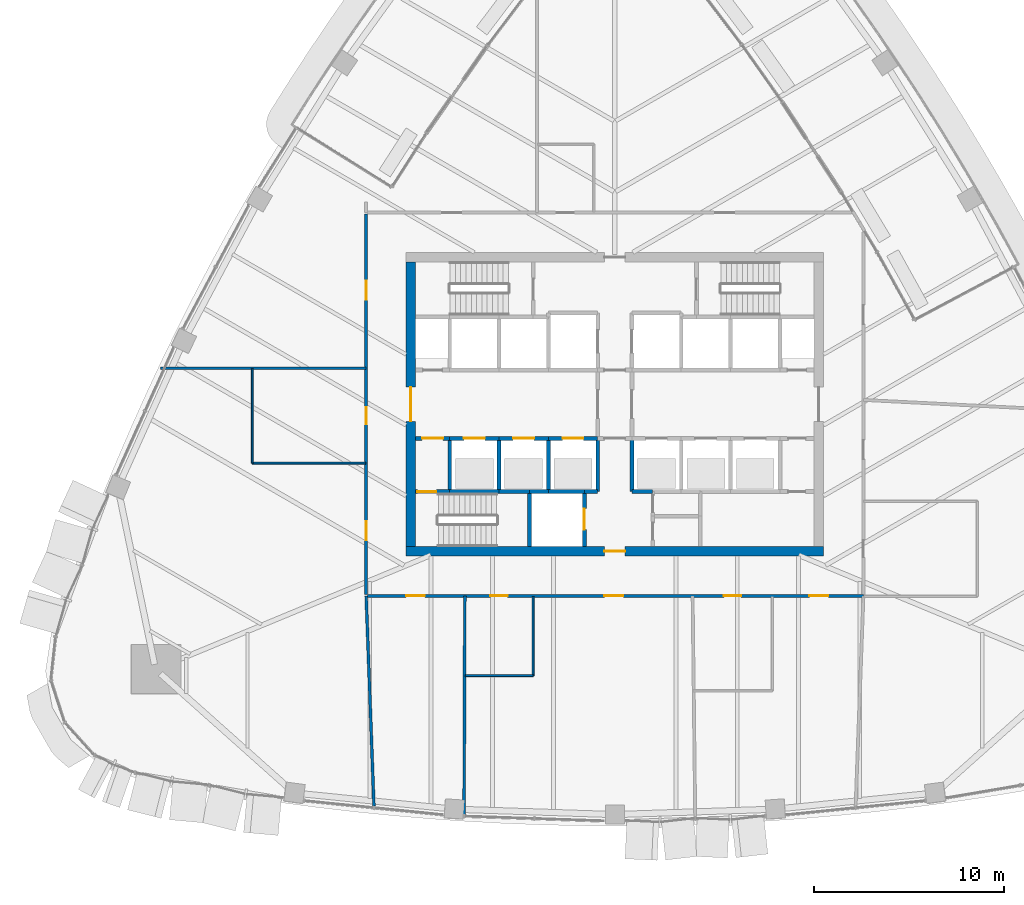
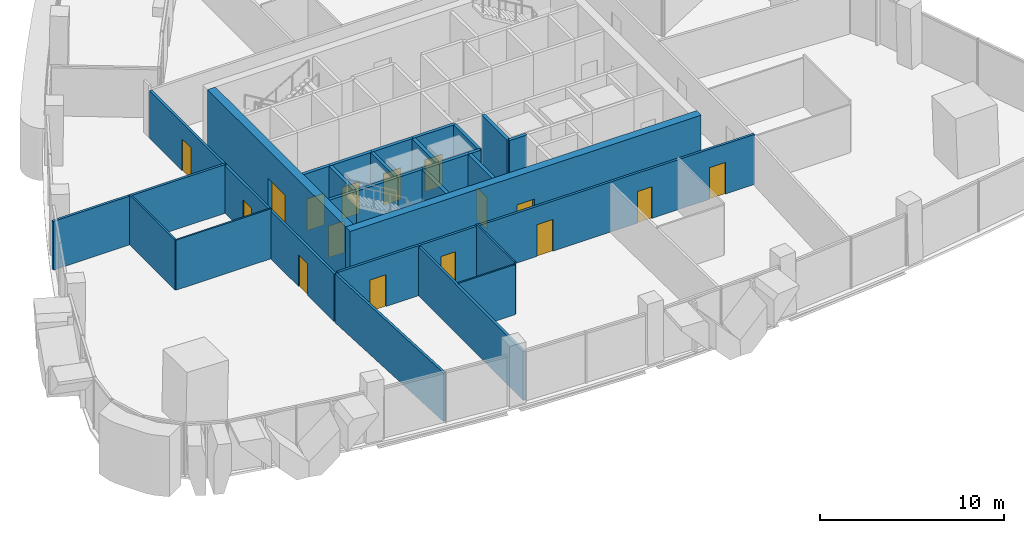
# One storey, part 13 of 21: 29 walls, 16 doors, 16 openings.
"""IFC4 building model written with IfcOpenShell, lengths in metres."""

from ifc_helpers import new_model, si_unit, direction, frame, frame_2d, origin, place, context, subcontext, project, spatial, rectangle, extrude, material, layer, layer_set, type_object, element, fill, save


model = new_model("IFC4")

# Units and contexts
model_context = context("Model", 3, precision=1e-05, world=origin(), true_north=direction((0.0, 1.0)))
body_context = subcontext(model_context, "Body", "Model", "MODEL_VIEW")
ifc_project = project(units=[si_unit("LENGTHUNIT", "METRE"), si_unit("AREAUNIT", "SQUARE_METRE"), si_unit("VOLUMEUNIT", "CUBIC_METRE"), si_unit("PLANEANGLEUNIT", "RADIAN"), si_unit("MASSUNIT", "GRAM", prefix="KILO")], contexts=[model_context])

# Site, building, storey
site_placement = place(None, origin())
site = spatial("IfcSite", under=ifc_project, at=site_placement, CompositionType="ELEMENT")
building_placement = place(site_placement, origin())
building = spatial("IfcBuilding", under=site, at=building_placement, Name="Sierra Prisma Convention Tower", CompositionType="ELEMENT")
storey_placement = place(building_placement, frame((0.0, 0.0, 157.800048828125)))
storey = spatial("IfcBuildingStorey", under=building, at=storey_placement, Name="L34", CompositionType="ELEMENT", Elevation=157.800048828125)

# Walls
ifc_material_1 = material(Name="Gypsum board partition", Category="gypsum")
ifc_layer_1 = layer(ifc_material_1, 0.10009765625)
ifc_layer_set_1 = layer_set([ifc_layer_1], Name="Bathroom partition 100")
wall_type_1 = type_object("IfcWallType", Name="Bathroom partition 100", PredefinedType="PARTITIONING", material=ifc_layer_set_1)
wall_1_placement = place(storey_placement, frame((-13.1298828125, -3.10009765625, 0.0), z_axis=(0.0, 0.0, 1.0), x_axis=(-1.0, 0.0, 0.0)))
element("IfcWall", 1, at=wall_1_placement, inside=storey, type_object=wall_type_1, Name="Partition L34 bath 1", PredefinedType="PARTITIONING", context=body_context, shape_type="SweptSolid", body=[
    extrude(rectangle(XDim=5.97021484375, YDim=0.10009765625, at=frame_2d((2.985107421875, 0.0))), origin(), (0.0, 0.0, 1.0), 3.31689453125),
])
wall_2_placement = place(storey_placement, frame((-19.10009765625, -3.10009765625, 0.0), z_axis=(0.0, 0.0, 1.0), x_axis=(0.0, 1.0, 0.0)))
element("IfcWall", 2, at=wall_2_placement, inside=storey, type_object=wall_type_1, Name="Partition L34 bath 2", PredefinedType="PARTITIONING", context=body_context, shape_type="SweptSolid", body=[
    extrude(rectangle(XDim=4.97021484375, YDim=0.10009765625, at=frame_2d((2.485107421875, 0.0))), origin(), (0.0, 0.0, 1.0), 3.31689453125),
])
wall_3_placement = place(storey_placement, frame((-4.300048828125, -10.1298828125, 0.0), z_axis=(0.0, 0.0, 1.0), x_axis=(0.0, -1.0, 0.0)))
element("IfcWall", 3, at=wall_3_placement, inside=storey, type_object=wall_type_1, Name="Partition L34 bath 3", PredefinedType="PARTITIONING", context=body_context, shape_type="SweptSolid", body=[
    extrude(rectangle(XDim=4.170166015625, YDim=0.10009765625, at=frame_2d((2.0849609375, 0.0))), origin(), (0.0, 0.0, 1.0), 3.449951171875),
])
wall_4_placement = place(storey_placement, frame((-4.300048828125, -14.300048828125, 0.0), z_axis=(0.0, 0.0, 1.0), x_axis=(-1.0, 0.0, 0.0)))
element("IfcWall", 4, at=wall_4_placement, inside=storey, type_object=wall_type_1, Name="Partition L34 bath 4", PredefinedType="PARTITIONING", context=body_context, shape_type="SweptSolid", body=[
    extrude(rectangle(XDim=3.570068359375, YDim=0.10009765625, at=frame_2d((1.78515625, 0.0))), origin(), (0.0, 0.0, 1.0), 3.31689453125),
])

# Wall, opening, door
ifc_material_2 = material(Name="Concrete C30/37", Category="concrete")
ifc_layer_2 = layer(ifc_material_2, 0.199951171875)
ifc_layer_set_2 = layer_set([ifc_layer_2], Name="Core wall RC 200 C30/37")
wall_type_2 = type_object("IfcWallType", Name="Core wall RC 200 C30/37", PredefinedType="SOLIDWALL", material=ifc_layer_set_2)
wall_5_placement = place(storey_placement, frame((-10.5, -4.60009765625, 0.0), z_axis=(0.0, 0.0, 1.0), x_axis=(1.0, 0.0, 0.0)))
wall_5 = element("IfcWall", 5, at=wall_5_placement, inside=storey, type_object=wall_type_2, Name="Core wall L34 1", PredefinedType="SOLIDWALL", context=body_context, shape_type="SweptSolid", body=[
    extrude(rectangle(XDim=1.800048828125, YDim=0.199951171875, at=frame_2d((0.89990234375, 0.0))), origin(), (0.0, 0.0, 1.0), 3.849853515625),
])
opening_1_placement = place(wall_5_placement, frame((0.10009765625, 0.0, 0.0)))
opening_1 = element("IfcOpeningElement", 6, at=opening_1_placement, cuts=wall_5, Name="Opening L34-D020", PredefinedType="OPENING", context=body_context, shape_type="SweptSolid", body=[
    extrude(rectangle(XDim=1.0, YDim=2.10009765625, at=frame_2d((0.5, 1.050048828125))), frame((0.0, 0.10009765625, 0.0), z_axis=(0.0, -1.0, 0.0), x_axis=(1.0, 0.0, 0.0)), (0.0, 0.0, 1.0), 0.199951171875),
])
ifc_material_3 = material(Name="Steel fire door leaf", Category="steel")
door_type_1 = type_object("IfcDoorType", Name="Door 1000x2100 FD90S", OperationType="SINGLE_SWING_LEFT", PredefinedType="DOOR", material=ifc_material_3)
door_1_placement = place(opening_1_placement, origin())
door_1 = element("IfcDoor", 7, at=door_1_placement, inside=storey, type_object=door_type_1, Name="Door L34 31", OperationType="SINGLE_SWING_LEFT", OverallHeight=2.10009765625, OverallWidth=1.0, PredefinedType="DOOR", context=body_context, shape_type="SweptSolid", body=[
    extrude(rectangle(XDim=1.0, YDim=2.10009765625, at=frame_2d((0.5, 1.050048828125))), frame((0.0, 0.02490234375, 0.0), z_axis=(0.0, -1.0, 0.0), x_axis=(1.0, 0.0, 0.0)), (0.0, 0.0, 1.0), 0.050048828125),
])
fill(opening_1, door_1)

wall_6_placement = place(storey_placement, frame((-10.5, -1.800048828125, 0.0), z_axis=(0.0, 0.0, 1.0), x_axis=(1.0, 0.0, 0.0)))
wall_6 = element("IfcWall", 8, at=wall_6_placement, inside=storey, type_object=wall_type_2, Name="Core wall L34 2", PredefinedType="SOLIDWALL", context=body_context, shape_type="SweptSolid", body=[
    extrude(rectangle(XDim=1.800048828125, YDim=0.199951171875, at=frame_2d((0.89990234375, 0.0))), origin(), (0.0, 0.0, 1.0), 3.849853515625),
])
opening_2_placement = place(wall_6_placement, frame((0.35009765625, 0.0, 0.0)))
opening_2 = element("IfcOpeningElement", 9, at=opening_2_placement, cuts=wall_6, Name="Opening L34-D015", PredefinedType="OPENING", context=body_context, shape_type="SweptSolid", body=[
    extrude(rectangle(XDim=1.10009765625, YDim=2.10009765625, at=frame_2d((0.550048828125, 1.050048828125))), frame((0.0, 0.10009765625, 0.0), z_axis=(0.0, -1.0, 0.0), x_axis=(1.0, 0.0, 0.0)), (0.0, 0.0, 1.0), 0.199951171875),
])
ifc_material_4 = material(Name="Steel fire door leaf", Category="steel")
door_type_2 = type_object("IfcDoorType", Name="Door 1100x2100 FD90S", OperationType="SINGLE_SWING_LEFT", PredefinedType="DOOR", material=ifc_material_4)
door_2_placement = place(opening_2_placement, origin())
door_2 = element("IfcDoor", 10, at=door_2_placement, inside=storey, type_object=door_type_2, Name="Door L34 26", OperationType="SINGLE_SWING_LEFT", OverallHeight=2.10009765625, OverallWidth=1.10009765625, PredefinedType="DOOR", context=body_context, shape_type="SweptSolid", body=[
    extrude(rectangle(XDim=1.10009765625, YDim=2.10009765625, at=frame_2d((0.550048828125, 1.050048828125))), frame((0.0, 0.02490234375, 0.0), z_axis=(0.0, -1.0, 0.0), x_axis=(1.0, 0.0, 0.0)), (0.0, 0.0, 1.0), 0.050048828125),
])
fill(opening_2, door_2)

# Walls
wall_7_placement = place(storey_placement, frame((-8.699951171875, -4.60009765625, 0.0), z_axis=(0.0, 0.0, 1.0), x_axis=(1.0, 0.0, 0.0)))
element("IfcWall", 11, at=wall_7_placement, inside=storey, type_object=wall_type_2, Name="Core wall L34 5", PredefinedType="SOLIDWALL", context=body_context, shape_type="SweptSolid", body=[
    extrude(rectangle(XDim=2.599853515625, YDim=0.199951171875, at=frame_2d((1.2998046875, 0.0))), origin(), (0.0, 0.0, 1.0), 3.849853515625),
])
wall_8_placement = place(storey_placement, frame((-8.699951171875, -4.60009765625, 0.0), z_axis=(0.0, 0.0, 1.0), x_axis=(0.0, 1.0, 0.0)))
element("IfcWall", 12, at=wall_8_placement, inside=storey, type_object=wall_type_2, Name="Core wall L34 6", PredefinedType="SOLIDWALL", context=body_context, shape_type="SweptSolid", body=[
    extrude(rectangle(XDim=2.800048828125, YDim=0.199951171875, at=frame_2d((1.39990234375, 0.0))), origin(), (0.0, 0.0, 1.0), 3.849853515625),
])

# Wall, opening, door
wall_9_placement = place(storey_placement, frame((-8.699951171875, -1.800048828125, 0.0), z_axis=(0.0, 0.0, 1.0), x_axis=(1.0, 0.0, 0.0)))
wall_9 = element("IfcWall", 13, at=wall_9_placement, inside=storey, type_object=wall_type_2, Name="Core wall L34 7", PredefinedType="SOLIDWALL", context=body_context, shape_type="SweptSolid", body=[
    extrude(rectangle(XDim=2.599853515625, YDim=0.199951171875, at=frame_2d((1.2998046875, 0.0))), origin(), (0.0, 0.0, 1.0), 3.849853515625),
])
opening_3_placement = place(wall_9_placement, frame((0.75, 0.0, 0.0)))
opening_3 = element("IfcOpeningElement", 14, at=opening_3_placement, cuts=wall_9, Name="Opening L34-D004", PredefinedType="OPENING", context=body_context, shape_type="SweptSolid", body=[
    extrude(rectangle(XDim=1.10009765625, YDim=2.10009765625, at=frame_2d((0.550048828125, 1.050048828125))), frame((0.0, 0.10009765625, 0.0), z_axis=(0.0, -1.0, 0.0), x_axis=(1.0, 0.0, 0.0)), (0.0, 0.0, 1.0), 0.199951171875),
])
ifc_material_5 = material(Name="Steel fire door leaf", Category="steel")
door_type_3 = type_object("IfcDoorType", Name="Door 1100x2100 EI 90 sliding lift landing", OperationType="SLIDING_TO_LEFT", PredefinedType="DOOR", material=ifc_material_5)
door_3_placement = place(opening_3_placement, origin())
door_3 = element("IfcDoor", 15, at=door_3_placement, inside=storey, type_object=door_type_3, Name="Door L34 15", OperationType="SLIDING_TO_LEFT", OverallHeight=2.10009765625, OverallWidth=1.10009765625, PredefinedType="DOOR", context=body_context, shape_type="SweptSolid", body=[
    extrude(rectangle(XDim=1.10009765625, YDim=2.10009765625, at=frame_2d((0.550048828125, 1.050048828125))), frame((0.0, 0.02490234375, 0.0), z_axis=(0.0, -1.0, 0.0), x_axis=(1.0, 0.0, 0.0)), (0.0, 0.0, 1.0), 0.050048828125),
])
fill(opening_3, door_3)

# Walls
wall_10_placement = place(storey_placement, frame((-6.10009765625, -4.60009765625, 0.0), z_axis=(0.0, 0.0, 1.0), x_axis=(1.0, 0.0, 0.0)))
element("IfcWall", 16, at=wall_10_placement, inside=storey, type_object=wall_type_2, Name="Core wall L34 11", PredefinedType="SOLIDWALL", context=body_context, shape_type="SweptSolid", body=[
    extrude(rectangle(XDim=1.60009765625, YDim=0.199951171875, at=frame_2d((0.800048828125, 0.0))), origin(), (0.0, 0.0, 1.0), 3.849853515625),
])
wall_11_placement = place(storey_placement, frame((-6.10009765625, -4.60009765625, 0.0), z_axis=(0.0, 0.0, 1.0), x_axis=(0.0, 1.0, 0.0)))
element("IfcWall", 17, at=wall_11_placement, inside=storey, type_object=wall_type_2, Name="Core wall L34 12", PredefinedType="SOLIDWALL", context=body_context, shape_type="SweptSolid", body=[
    extrude(rectangle(XDim=2.800048828125, YDim=0.199951171875, at=frame_2d((1.39990234375, 0.0))), origin(), (0.0, 0.0, 1.0), 3.849853515625),
])

# Wall, opening, door
wall_12_placement = place(storey_placement, frame((-6.10009765625, -1.800048828125, 0.0), z_axis=(0.0, 0.0, 1.0), x_axis=(1.0, 0.0, 0.0)))
wall_12 = element("IfcWall", 18, at=wall_12_placement, inside=storey, type_object=wall_type_2, Name="Core wall L34 13", PredefinedType="SOLIDWALL", context=body_context, shape_type="SweptSolid", body=[
    extrude(rectangle(XDim=2.60009765625, YDim=0.199951171875, at=frame_2d((1.300048828125, 0.0))), origin(), (0.0, 0.0, 1.0), 3.849853515625),
])
opening_4_placement = place(wall_12_placement, frame((0.75, 0.0, 0.0)))
opening_4 = element("IfcOpeningElement", 19, at=opening_4_placement, cuts=wall_12, Name="Opening L34-D005", PredefinedType="OPENING", context=body_context, shape_type="SweptSolid", body=[
    extrude(rectangle(XDim=1.10009765625, YDim=2.10009765625, at=frame_2d((0.550048828125, 1.050048828125))), frame((0.0, 0.10009765625, 0.0), z_axis=(0.0, -1.0, 0.0), x_axis=(1.0, 0.0, 0.0)), (0.0, 0.0, 1.0), 0.199951171875),
])
door_4_placement = place(opening_4_placement, origin())
door_4 = element("IfcDoor", 20, at=door_4_placement, inside=storey, type_object=door_type_3, Name="Door L34 16", OperationType="SLIDING_TO_LEFT", OverallHeight=2.10009765625, OverallWidth=1.10009765625, PredefinedType="DOOR", context=body_context, shape_type="SweptSolid", body=[
    extrude(rectangle(XDim=1.10009765625, YDim=2.10009765625, at=frame_2d((0.550048828125, 1.050048828125))), frame((0.0, 0.02490234375, 0.0), z_axis=(0.0, -1.0, 0.0), x_axis=(1.0, 0.0, 0.0)), (0.0, 0.0, 1.0), 0.050048828125),
])
fill(opening_4, door_4)

# Walls
wall_13_placement = place(storey_placement, frame((-4.5, -4.60009765625, 0.0), z_axis=(0.0, 0.0, 1.0), x_axis=(0.0, -1.0, 0.0)))
element("IfcWall", 21, at=wall_13_placement, inside=storey, type_object=wall_type_2, Name="Core wall L34 17", PredefinedType="SOLIDWALL", context=body_context, shape_type="SweptSolid", body=[
    extrude(rectangle(XDim=2.89990234375, YDim=0.199951171875, at=frame_2d((1.449951171875, 0.0))), origin(), (0.0, 0.0, 1.0), 3.849853515625),
])
wall_14_placement = place(storey_placement, frame((-4.5, -4.60009765625, 0.0), z_axis=(0.0, 0.0, 1.0), x_axis=(1.0, 0.0, 0.0)))
element("IfcWall", 22, at=wall_14_placement, inside=storey, type_object=wall_type_2, Name="Core wall L34 18", PredefinedType="SOLIDWALL", context=body_context, shape_type="SweptSolid", body=[
    extrude(rectangle(XDim=1.0, YDim=0.199951171875, at=frame_2d((0.5, 0.0))), origin(), (0.0, 0.0, 1.0), 3.849853515625),
])
wall_15_placement = place(storey_placement, frame((-3.5, -4.60009765625, 0.0), z_axis=(0.0, 0.0, 1.0), x_axis=(1.0, 0.0, 0.0)))
element("IfcWall", 23, at=wall_15_placement, inside=storey, type_object=wall_type_2, Name="Core wall L34 21", PredefinedType="SOLIDWALL", context=body_context, shape_type="SweptSolid", body=[
    extrude(rectangle(XDim=1.89990234375, YDim=0.199951171875, at=frame_2d((0.949951171875, 0.0))), origin(), (0.0, 0.0, 1.0), 3.849853515625),
])
wall_16_placement = place(storey_placement, frame((-3.5, -4.60009765625, 0.0), z_axis=(0.0, 0.0, 1.0), x_axis=(0.0, 1.0, 0.0)))
element("IfcWall", 24, at=wall_16_placement, inside=storey, type_object=wall_type_2, Name="Core wall L34 22", PredefinedType="SOLIDWALL", context=body_context, shape_type="SweptSolid", body=[
    extrude(rectangle(XDim=2.800048828125, YDim=0.199951171875, at=frame_2d((1.39990234375, 0.0))), origin(), (0.0, 0.0, 1.0), 3.849853515625),
])

# Wall, opening, door
wall_17_placement = place(storey_placement, frame((-3.5, -1.800048828125, 0.0), z_axis=(0.0, 0.0, 1.0), x_axis=(1.0, 0.0, 0.0)))
wall_17 = element("IfcWall", 25, at=wall_17_placement, inside=storey, type_object=wall_type_2, Name="Core wall L34 23", PredefinedType="SOLIDWALL", context=body_context, shape_type="SweptSolid", body=[
    extrude(rectangle(XDim=2.60009765625, YDim=0.199951171875, at=frame_2d((1.300048828125, 0.0))), origin(), (0.0, 0.0, 1.0), 3.849853515625),
])
opening_5_placement = place(wall_17_placement, frame((0.75, 0.0, 0.0)))
opening_5 = element("IfcOpeningElement", 26, at=opening_5_placement, cuts=wall_17, Name="Opening L34-D006", PredefinedType="OPENING", context=body_context, shape_type="SweptSolid", body=[
    extrude(rectangle(XDim=1.10009765625, YDim=2.10009765625, at=frame_2d((0.550048828125, 1.050048828125))), frame((0.0, 0.10009765625, 0.0), z_axis=(0.0, -1.0, 0.0), x_axis=(1.0, 0.0, 0.0)), (0.0, 0.0, 1.0), 0.199951171875),
])
door_5_placement = place(opening_5_placement, origin())
door_5 = element("IfcDoor", 27, at=door_5_placement, inside=storey, type_object=door_type_3, Name="Door L34 17", OperationType="SLIDING_TO_RIGHT", OverallHeight=2.10009765625, OverallWidth=1.10009765625, PredefinedType="DOOR", context=body_context, shape_type="SweptSolid", body=[
    extrude(rectangle(XDim=1.10009765625, YDim=2.10009765625, at=frame_2d((0.550048828125, 1.050048828125))), frame((0.0, 0.02490234375, 0.0), z_axis=(0.0, -1.0, 0.0), x_axis=(1.0, 0.0, 0.0)), (0.0, 0.0, 1.0), 0.050048828125),
])
fill(opening_5, door_5)

wall_18_placement = place(storey_placement, frame((-1.60009765625, -7.5, 0.0), z_axis=(0.0, 0.0, 1.0), x_axis=(0.0, 1.0, 0.0)))
wall_18 = element("IfcWall", 28, at=wall_18_placement, inside=storey, type_object=wall_type_2, Name="Core wall L34 29", PredefinedType="SOLIDWALL", context=body_context, shape_type="SweptSolid", body=[
    extrude(rectangle(XDim=2.89990234375, YDim=0.199951171875, at=frame_2d((1.449951171875, 0.0))), origin(), (0.0, 0.0, 1.0), 3.849853515625),
])
opening_6_placement = place(wall_18_placement, frame((0.89990234375, 0.0, 0.0)))
opening_6 = element("IfcOpeningElement", 29, at=opening_6_placement, cuts=wall_18, Name="Opening L34-D012", PredefinedType="OPENING", context=body_context, shape_type="SweptSolid", body=[
    extrude(rectangle(XDim=1.10009765625, YDim=2.10009765625, at=frame_2d((0.550048828125, 1.050048828125))), frame((0.0, 0.10009765625, 0.0), z_axis=(0.0, -1.0, 0.0), x_axis=(1.0, 0.0, 0.0)), (0.0, 0.0, 1.0), 0.199951171875),
])
door_6_placement = place(opening_6_placement, origin())
door_6 = element("IfcDoor", 30, at=door_6_placement, inside=storey, type_object=door_type_3, Name="Door L34 23", OperationType="SLIDING_TO_RIGHT", OverallHeight=2.10009765625, OverallWidth=1.10009765625, PredefinedType="DOOR", context=body_context, shape_type="SweptSolid", body=[
    extrude(rectangle(XDim=1.10009765625, YDim=2.10009765625, at=frame_2d((0.550048828125, 1.050048828125))), frame((0.0, 0.02490234375, 0.0), z_axis=(0.0, -1.0, 0.0), x_axis=(1.0, 0.0, 0.0)), (0.0, 0.0, 1.0), 0.050048828125),
])
fill(opening_6, door_6)

# Walls
wall_19_placement = place(storey_placement, frame((-1.60009765625, -4.60009765625, 0.0), z_axis=(0.0, 0.0, 1.0), x_axis=(1.0, 0.0, 0.0)))
element("IfcWall", 31, at=wall_19_placement, inside=storey, type_object=wall_type_2, Name="Core wall L34 30", PredefinedType="SOLIDWALL", context=body_context, shape_type="SweptSolid", body=[
    extrude(rectangle(XDim=0.7001953125, YDim=0.199951171875, at=frame_2d((0.35009765625, 0.0))), origin(), (0.0, 0.0, 1.0), 3.849853515625),
])
for number, where, z_axis, x_axis, name in (
    (32, (-0.89990234375, -4.60009765625, 0.0), (0.0, 0.0, 1.0), (0.0, 1.0, 0.0), "Core wall L34 31"),
    (33, (0.89990234375, -1.800048828125, 0.0), (0.0, 0.0, 1.0), (0.0, -1.0, 0.0), "Core wall L34 37"),
):
    element("IfcWall", number, at=place(storey_placement, frame(where, z_axis=z_axis, x_axis=x_axis)), inside=storey, type_object=wall_type_2, Name=name, PredefinedType="SOLIDWALL", context=body_context, shape_type="SweptSolid", body=[
        extrude(rectangle(XDim=2.800048828125, YDim=0.199951171875, at=frame_2d((1.39990234375, 0.0))), origin(), (0.0, 0.0, 1.0), 3.849853515625),
    ])
wall_20_placement = place(storey_placement, frame((0.89990234375, -4.60009765625, 0.0), z_axis=(0.0, 0.0, 1.0), x_axis=(1.0, 0.0, 0.0)))
element("IfcWall", 34, at=wall_20_placement, inside=storey, type_object=wall_type_2, Name="Core wall L34 38", PredefinedType="SOLIDWALL", context=body_context, shape_type="SweptSolid", body=[
    extrude(rectangle(XDim=1.10009765625, YDim=0.199951171875, at=frame_2d((0.550048828125, 0.0))), origin(), (0.0, 0.0, 1.0), 3.849853515625),
])

# Wall, opening, door
ifc_material_6 = material(Name="Concrete C60/75", Category="concrete")
ifc_layer_3 = layer(ifc_material_6, 0.5)
ifc_layer_set_3 = layer_set([ifc_layer_3], Name="Core wall RC 500 C60/75")
wall_type_3 = type_object("IfcWallType", Name="Core wall RC 500 C60/75", PredefinedType="SHEAR", material=ifc_layer_set_3)
wall_21_placement = place(storey_placement, frame((-11.0, -7.75, 0.0), z_axis=(0.0, 0.0, 1.0), x_axis=(1.0, 0.0, 0.0)))
wall_21 = element("IfcWall", 35, at=wall_21_placement, inside=storey, type_object=wall_type_3, Name="Core wall S L34", PredefinedType="SHEAR", context=body_context, shape_type="SweptSolid", body=[
    extrude(rectangle(XDim=22.0, YDim=0.5, at=frame_2d((11.0, 0.0))), origin(), (0.0, 0.0, 1.0), 4.0),
])
opening_7_placement = place(wall_21_placement, frame((10.449951171875, 0.0, 0.0)))
opening_7 = element("IfcOpeningElement", 36, at=opening_7_placement, cuts=wall_21, Name="Opening L34-D043", PredefinedType="OPENING", context=body_context, shape_type="SweptSolid", body=[
    extrude(rectangle(XDim=1.10009765625, YDim=2.10009765625, at=frame_2d((0.550048828125, 1.050048828125))), frame((0.0, 0.25, 0.0), z_axis=(0.0, -1.0, 0.0), x_axis=(1.0, 0.0, 0.0)), (0.0, 0.0, 1.0), 0.5),
])
ifc_material_7 = material(Name="Steel fire door leaf", Category="steel")
door_type_4 = type_object("IfcDoorType", Name="Door 1100x2100 FD30S", OperationType="SINGLE_SWING_LEFT", PredefinedType="DOOR", material=ifc_material_7)
door_7_placement = place(opening_7_placement, origin())
door_7 = element("IfcDoor", 37, at=door_7_placement, inside=storey, type_object=door_type_4, Name="Door L34 41", OperationType="SINGLE_SWING_RIGHT", OverallHeight=2.10009765625, OverallWidth=1.10009765625, PredefinedType="DOOR", context=body_context, shape_type="SweptSolid", body=[
    extrude(rectangle(XDim=1.10009765625, YDim=2.10009765625, at=frame_2d((0.550048828125, 1.050048828125))), frame((0.0, 0.02490234375, 0.0), z_axis=(0.0, -1.0, 0.0), x_axis=(1.0, 0.0, 0.0)), (0.0, 0.0, 1.0), 0.050048828125),
])
fill(opening_7, door_7)

wall_22_placement = place(storey_placement, frame((-10.75, -7.5, 0.0), z_axis=(0.0, 0.0, 1.0), x_axis=(0.0, 1.0, 0.0)))
wall_22 = element("IfcWall", 38, at=wall_22_placement, inside=storey, type_object=wall_type_3, Name="Core wall W L34", PredefinedType="SHEAR", context=body_context, shape_type="SweptSolid", body=[
    extrude(rectangle(XDim=15.0, YDim=0.5, at=frame_2d((7.5, 0.0))), origin(), (0.0, 0.0, 1.0), 4.0),
])
opening_8_placement = place(wall_22_placement, frame((6.60009765625, 0.0, 0.0)))
opening_8 = element("IfcOpeningElement", 39, at=opening_8_placement, cuts=wall_22, Name="Opening L34-D044", PredefinedType="OPENING", context=body_context, shape_type="SweptSolid", body=[
    extrude(rectangle(XDim=1.800048828125, YDim=2.10009765625, at=frame_2d((0.89990234375, 1.050048828125))), frame((0.0, 0.25, 0.0), z_axis=(0.0, -1.0, 0.0), x_axis=(1.0, 0.0, 0.0)), (0.0, 0.0, 1.0), 0.5),
])
ifc_material_8 = material(Name="Steel fire door leaf", Category="steel")
door_type_5 = type_object("IfcDoorType", Name="Door 1800x2100 FD60S", OperationType="DOUBLE_DOOR_SINGLE_SWING", PredefinedType="DOOR", material=ifc_material_8)
door_8_placement = place(opening_8_placement, origin())
door_8 = element("IfcDoor", 40, at=door_8_placement, inside=storey, type_object=door_type_5, Name="Door L34 38", OperationType="DOUBLE_DOOR_SINGLE_SWING", OverallHeight=2.10009765625, OverallWidth=1.800048828125, PredefinedType="DOOR", context=body_context, shape_type="SweptSolid", body=[
    extrude(rectangle(XDim=1.800048828125, YDim=2.10009765625, at=frame_2d((0.89990234375, 1.050048828125))), frame((0.0, 0.02490234375, 0.0), z_axis=(0.0, -1.0, 0.0), x_axis=(1.0, 0.0, 0.0)), (0.0, 0.0, 1.0), 0.050048828125),
])
fill(opening_8, door_8)

# Wall, openings, doors
ifc_material_9 = material(Name="Gypsum board partition", Category="gypsum")
ifc_layer_4 = layer(ifc_material_9, 0.14990234375)
ifc_layer_set_4 = layer_set([ifc_layer_4], Name="Corridor wall 150 gypsum EI 60")
wall_type_4 = type_object("IfcWallType", Name="Corridor wall 150 gypsum EI 60", PredefinedType="PARTITIONING", material=ifc_layer_set_4)
wall_23_placement = place(storey_placement, frame((-13.10009765625, 10.02001953125, 0.0), z_axis=(0.0, 0.0, 1.0), x_axis=(0.0, -1.0, 0.0)))
wall_23 = element("IfcWall", 41, at=wall_23_placement, inside=storey, type_object=wall_type_4, Name="Partition L34 corr 1", PredefinedType="PARTITIONING", context=body_context, shape_type="SweptSolid", body=[
    extrude(rectangle(XDim=20.0400390625, YDim=0.14990234375, at=frame_2d((10.02001953125, 0.0))), origin(), (0.0, 0.0, 1.0), 3.166015625),
])
opening_9_placement = place(wall_23_placement, frame((3.510009765625, 0.0, 0.0)))
opening_9 = element("IfcOpeningElement", 42, at=opening_9_placement, cuts=wall_23, Name="Opening L34-D031", PredefinedType="OPENING", context=body_context, shape_type="SweptSolid", body=[
    extrude(rectangle(XDim=1.0, YDim=2.10009765625, at=frame_2d((0.5, 1.050048828125))), frame((0.0, 0.074951171875, 0.0), z_axis=(0.0, -1.0, 0.0), x_axis=(1.0, 0.0, 0.0)), (0.0, 0.0, 1.0), 0.14990234375),
])
opening_10_placement = place(wall_23_placement, frame((10.169921875, 0.0, 0.0)))
opening_10 = element("IfcOpeningElement", 43, at=opening_10_placement, cuts=wall_23, Name="Opening L34-D032", PredefinedType="OPENING", context=body_context, shape_type="SweptSolid", body=[
    extrude(rectangle(XDim=0.89990234375, YDim=2.10009765625, at=frame_2d((0.449951171875, 1.050048828125))), frame((0.0, 0.074951171875, 0.0), z_axis=(0.0, -1.0, 0.0), x_axis=(1.0, 0.0, 0.0)), (0.0, 0.0, 1.0), 0.14990234375),
])
opening_11_placement = place(wall_23_placement, frame((16.179931640625, 0.0, 0.0)))
opening_11 = element("IfcOpeningElement", 44, at=opening_11_placement, cuts=wall_23, Name="Opening L34-D033", PredefinedType="OPENING", context=body_context, shape_type="SweptSolid", body=[
    extrude(rectangle(XDim=1.0, YDim=2.10009765625, at=frame_2d((0.5, 1.050048828125))), frame((0.0, 0.074951171875, 0.0), z_axis=(0.0, -1.0, 0.0), x_axis=(1.0, 0.0, 0.0)), (0.0, 0.0, 1.0), 0.14990234375),
])
ifc_material_10 = material(Name="Steel fire door leaf", Category="steel")
door_type_6 = type_object("IfcDoorType", Name="Door 1000x2100 FD30S", OperationType="SINGLE_SWING_LEFT", PredefinedType="DOOR", material=ifc_material_10)
door_9_placement = place(opening_9_placement, origin())
door_9 = element("IfcDoor", 45, at=door_9_placement, inside=storey, type_object=door_type_6, Name="Door L34 5", OperationType="SINGLE_SWING_LEFT", OverallHeight=2.10009765625, OverallWidth=1.0, PredefinedType="DOOR", context=body_context, shape_type="SweptSolid", body=[
    extrude(rectangle(XDim=1.0, YDim=2.10009765625, at=frame_2d((0.5, 1.050048828125))), frame((0.0, 0.02490234375, 0.0), z_axis=(0.0, -1.0, 0.0), x_axis=(1.0, 0.0, 0.0)), (0.0, 0.0, 1.0), 0.050048828125),
])
fill(opening_9, door_9)
door_10_placement = place(opening_11_placement, origin())
door_10 = element("IfcDoor", 46, at=door_10_placement, inside=storey, type_object=door_type_6, Name="Door L34 7", OperationType="SINGLE_SWING_LEFT", OverallHeight=2.10009765625, OverallWidth=1.0, PredefinedType="DOOR", context=body_context, shape_type="SweptSolid", body=[
    extrude(rectangle(XDim=1.0, YDim=2.10009765625, at=frame_2d((0.5, 1.050048828125))), frame((0.0, 0.02490234375, 0.0), z_axis=(0.0, -1.0, 0.0), x_axis=(1.0, 0.0, 0.0)), (0.0, 0.0, 1.0), 0.050048828125),
])
fill(opening_11, door_10)
ifc_material_11 = material(Name="Steel fire door leaf", Category="steel")
door_type_7 = type_object("IfcDoorType", Name="Door 900x2100 FD30S", OperationType="SINGLE_SWING_LEFT", PredefinedType="DOOR", material=ifc_material_11)
door_11_placement = place(opening_10_placement, origin())
door_11 = element("IfcDoor", 47, at=door_11_placement, inside=storey, type_object=door_type_7, Name="Door L34 6", OperationType="SINGLE_SWING_LEFT", OverallHeight=2.10009765625, OverallWidth=0.89990234375, PredefinedType="DOOR", context=body_context, shape_type="SweptSolid", body=[
    extrude(rectangle(XDim=0.89990234375, YDim=2.10009765625, at=frame_2d((0.449951171875, 1.050048828125))), frame((0.0, 0.02490234375, 0.0), z_axis=(0.0, -1.0, 0.0), x_axis=(1.0, 0.0, 0.0)), (0.0, 0.0, 1.0), 0.050048828125),
])
fill(opening_10, door_11)

wall_24_placement = place(storey_placement, frame((-13.02001953125, -10.10009765625, 0.0), z_axis=(0.0, 0.0, 1.0), x_axis=(1.0, 0.0, 0.0)))
wall_24 = element("IfcWall", 48, at=wall_24_placement, inside=storey, type_object=wall_type_4, Name="Partition L34 corr 2", PredefinedType="PARTITIONING", context=body_context, shape_type="SweptSolid", body=[
    extrude(rectangle(XDim=26.1201171875, YDim=0.14990234375, at=frame_2d((13.06005859375, 0.0))), origin(), (0.0, 0.0, 1.0), 3.31689453125),
])
opening_12_placement = place(wall_24_placement, frame((2.02001953125, 0.0, 0.0)))
opening_12 = element("IfcOpeningElement", 49, at=opening_12_placement, cuts=wall_24, Name="Opening L34-D034", PredefinedType="OPENING", context=body_context, shape_type="SweptSolid", body=[
    extrude(rectangle(XDim=1.0, YDim=2.10009765625, at=frame_2d((0.5, 1.050048828125))), frame((0.0, 0.074951171875, 0.0), z_axis=(0.0, -1.0, 0.0), x_axis=(1.0, 0.0, 0.0)), (0.0, 0.0, 1.0), 0.14990234375),
])
opening_13_placement = place(wall_24_placement, frame((6.469970703125, 0.0, 0.0)))
opening_13 = element("IfcOpeningElement", 50, at=opening_13_placement, cuts=wall_24, Name="Opening L34-D035", PredefinedType="OPENING", context=body_context, shape_type="SweptSolid", body=[
    extrude(rectangle(XDim=0.89990234375, YDim=2.10009765625, at=frame_2d((0.449951171875, 1.050048828125))), frame((0.0, 0.074951171875, 0.0), z_axis=(0.0, -1.0, 0.0), x_axis=(1.0, 0.0, 0.0)), (0.0, 0.0, 1.0), 0.14990234375),
])
opening_14_placement = place(wall_24_placement, frame((12.469970703125, 0.0, 0.0)))
opening_14 = element("IfcOpeningElement", 51, at=opening_14_placement, cuts=wall_24, Name="Opening L34-D036", PredefinedType="OPENING", context=body_context, shape_type="SweptSolid", body=[
    extrude(rectangle(XDim=1.0, YDim=2.10009765625, at=frame_2d((0.5, 1.050048828125))), frame((0.0, 0.074951171875, 0.0), z_axis=(0.0, -1.0, 0.0), x_axis=(1.0, 0.0, 0.0)), (0.0, 0.0, 1.0), 0.14990234375),
])
opening_15_placement = place(wall_24_placement, frame((18.77001953125, 0.0, 0.0)))
opening_15 = element("IfcOpeningElement", 52, at=opening_15_placement, cuts=wall_24, Name="Opening L34-D037", PredefinedType="OPENING", context=body_context, shape_type="SweptSolid", body=[
    extrude(rectangle(XDim=0.89990234375, YDim=2.10009765625, at=frame_2d((0.449951171875, 1.050048828125))), frame((0.0, 0.074951171875, 0.0), z_axis=(0.0, -1.0, 0.0), x_axis=(1.0, 0.0, 0.0)), (0.0, 0.0, 1.0), 0.14990234375),
])
opening_16_placement = place(wall_24_placement, frame((23.27001953125, 0.0, 0.0)))
opening_16 = element("IfcOpeningElement", 53, at=opening_16_placement, cuts=wall_24, Name="Opening L34-D038", PredefinedType="OPENING", context=body_context, shape_type="SweptSolid", body=[
    extrude(rectangle(XDim=1.0, YDim=2.10009765625, at=frame_2d((0.5, 1.050048828125))), frame((0.0, 0.074951171875, 0.0), z_axis=(0.0, -1.0, 0.0), x_axis=(1.0, 0.0, 0.0)), (0.0, 0.0, 1.0), 0.14990234375),
])
door_12_placement = place(opening_12_placement, origin())
door_12 = element("IfcDoor", 54, at=door_12_placement, inside=storey, type_object=door_type_6, Name="Door L34 8", OperationType="SINGLE_SWING_LEFT", OverallHeight=2.10009765625, OverallWidth=1.0, PredefinedType="DOOR", context=body_context, shape_type="SweptSolid", body=[
    extrude(rectangle(XDim=1.0, YDim=2.10009765625, at=frame_2d((0.5, 1.050048828125))), frame((0.0, 0.02490234375, 0.0), z_axis=(0.0, -1.0, 0.0), x_axis=(1.0, 0.0, 0.0)), (0.0, 0.0, 1.0), 0.050048828125),
])
fill(opening_12, door_12)
door_13_placement = place(opening_14_placement, origin())
door_13 = element("IfcDoor", 55, at=door_13_placement, inside=storey, type_object=door_type_6, Name="Door L34 10", OperationType="SINGLE_SWING_LEFT", OverallHeight=2.10009765625, OverallWidth=1.0, PredefinedType="DOOR", context=body_context, shape_type="SweptSolid", body=[
    extrude(rectangle(XDim=1.0, YDim=2.10009765625, at=frame_2d((0.5, 1.050048828125))), frame((0.0, 0.02490234375, 0.0), z_axis=(0.0, -1.0, 0.0), x_axis=(1.0, 0.0, 0.0)), (0.0, 0.0, 1.0), 0.050048828125),
])
fill(opening_14, door_13)
door_14_placement = place(opening_16_placement, origin())
door_14 = element("IfcDoor", 56, at=door_14_placement, inside=storey, type_object=door_type_6, Name="Door L34 12", OperationType="SINGLE_SWING_LEFT", OverallHeight=2.10009765625, OverallWidth=1.0, PredefinedType="DOOR", context=body_context, shape_type="SweptSolid", body=[
    extrude(rectangle(XDim=1.0, YDim=2.10009765625, at=frame_2d((0.5, 1.050048828125))), frame((0.0, 0.02490234375, 0.0), z_axis=(0.0, -1.0, 0.0), x_axis=(1.0, 0.0, 0.0)), (0.0, 0.0, 1.0), 0.050048828125),
])
fill(opening_16, door_14)
door_15_placement = place(opening_13_placement, origin())
door_15 = element("IfcDoor", 57, at=door_15_placement, inside=storey, type_object=door_type_7, Name="Door L34 9", OperationType="SINGLE_SWING_RIGHT", OverallHeight=2.10009765625, OverallWidth=0.89990234375, PredefinedType="DOOR", context=body_context, shape_type="SweptSolid", body=[
    extrude(rectangle(XDim=0.89990234375, YDim=2.10009765625, at=frame_2d((0.449951171875, 1.050048828125))), frame((0.0, 0.02490234375, 0.0), z_axis=(0.0, -1.0, 0.0), x_axis=(1.0, 0.0, 0.0)), (0.0, 0.0, 1.0), 0.050048828125),
])
fill(opening_13, door_15)
door_16_placement = place(opening_15_placement, origin())
door_16 = element("IfcDoor", 58, at=door_16_placement, inside=storey, type_object=door_type_7, Name="Door L34 11", OperationType="SINGLE_SWING_LEFT", OverallHeight=2.10009765625, OverallWidth=0.89990234375, PredefinedType="DOOR", context=body_context, shape_type="SweptSolid", body=[
    extrude(rectangle(XDim=0.89990234375, YDim=2.10009765625, at=frame_2d((0.449951171875, 1.050048828125))), frame((0.0, 0.02490234375, 0.0), z_axis=(0.0, -1.0, 0.0), x_axis=(1.0, 0.0, 0.0)), (0.0, 0.0, 1.0), 0.050048828125),
])
fill(opening_15, door_16)

# Walls
ifc_material_12 = material(Name="Gypsum board partition", Category="gypsum")
ifc_layer_5 = layer(ifc_material_12, 0.14990234375)
ifc_layer_set_5 = layer_set([ifc_layer_5], Name="Party wall 150 gypsum")
wall_type_5 = type_object("IfcWallType", Name="Party wall 150 gypsum", PredefinedType="PARTITIONING", material=ifc_layer_set_5)
wall_25_placement = place(storey_placement, frame((-13.10009765625, 1.89990234375, 0.0), z_axis=(0.0, 0.0, 1.0), x_axis=(-1.0, 0.0, 0.0)))
element("IfcWall", 59, at=wall_25_placement, inside=storey, type_object=wall_type_5, Name="Partition L34 party 1", PredefinedType="PARTITIONING", context=body_context, shape_type="SweptSolid", body=[
    extrude(rectangle(XDim=10.8310546875, YDim=0.14990234375, at=frame_2d((5.41552734375, 0.0))), origin(), (0.0, 0.0, 1.0), 3.23388671875),
])
wall_26_placement = place(storey_placement, frame((-13.10009765625, -10.10009765625, 0.0), z_axis=(0.0, 0.0, 1.0), x_axis=(0.037085915045, -0.999312080836, 0.0)))
element("IfcWall", 60, at=wall_26_placement, inside=storey, type_object=wall_type_5, Name="Partition L34 party 2", PredefinedType="PARTITIONING", context=body_context, shape_type="SweptSolid", body=[
    extrude(rectangle(XDim=11.066162109375, YDim=0.14990234375, at=frame_2d((5.533203125, 0.0))), origin(), (0.0, 0.0, 1.0), 3.23388671875),
])
wall_27_placement = place(storey_placement, frame((-7.89990234375, -10.10009765625, 0.0), z_axis=(0.0, 0.0, 1.0), x_axis=(-0.003502047929, -0.999993867811, 0.0)))
element("IfcWall", 61, at=wall_27_placement, inside=storey, type_object=wall_type_5, Name="Partition L34 party 4", PredefinedType="PARTITIONING", context=body_context, shape_type="SweptSolid", body=[
    extrude(rectangle(XDim=11.502685546875, YDim=0.14990234375, at=frame_2d((5.75146484375, 0.0))), origin(), (0.0, 0.0, 1.0), 3.23388671875),
])

save(model, "model.ifc")
